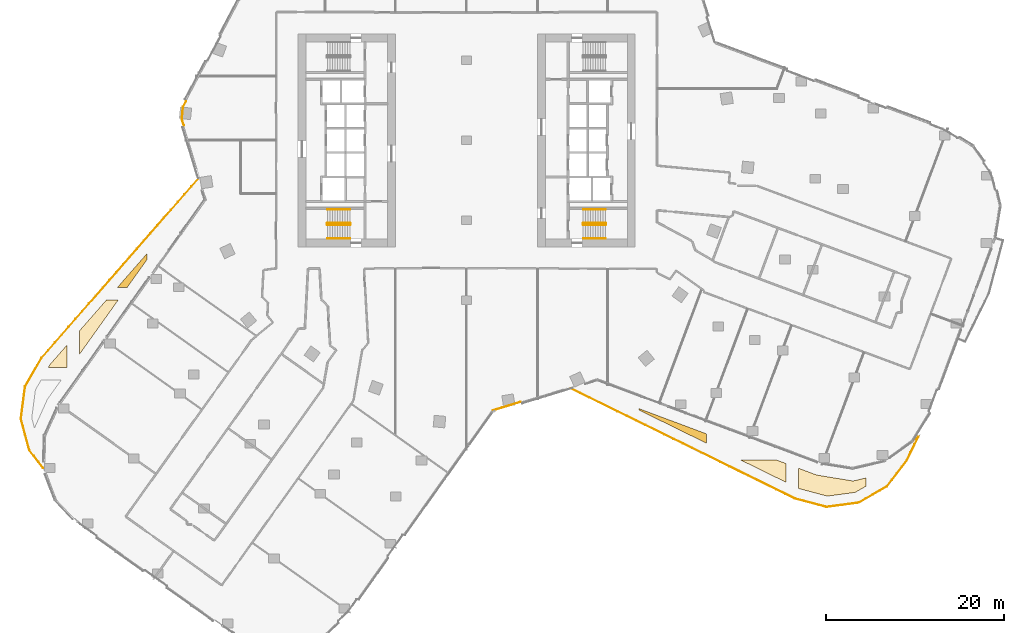
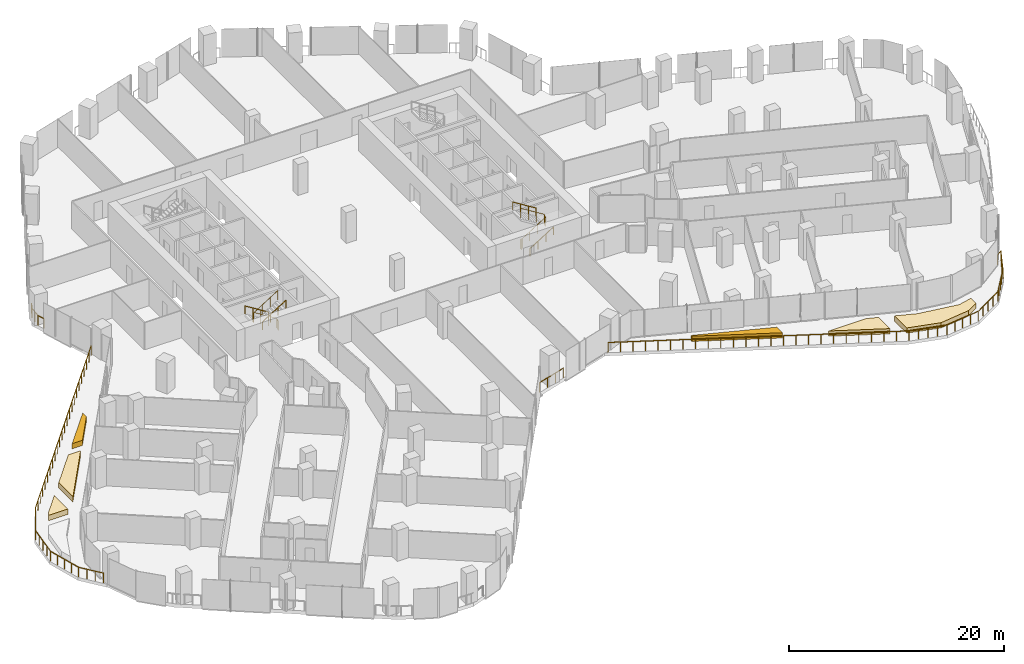
# One storey, part 28 of 30: 10 railings, 6 coverings.
"""IFC4 building model written with IfcOpenShell, lengths in metres."""

from ifc_helpers import new_model, si_unit, direction, frame, origin, origin_2d, place, context, subcontext, project, spatial, polyline, circle, outline, extrude, material, layer, layer_set, type_object, element, save


model = new_model("IFC4")

# Units and contexts
model_context = context("Model", 3, precision=1e-05, world=origin(), true_north=direction((0.0, 1.0)))
body_context = subcontext(model_context, "Body", "Model", "MODEL_VIEW")
ifc_project = project(units=[si_unit("LENGTHUNIT", "METRE"), si_unit("AREAUNIT", "SQUARE_METRE"), si_unit("VOLUMEUNIT", "CUBIC_METRE"), si_unit("PLANEANGLEUNIT", "RADIAN"), si_unit("MASSUNIT", "GRAM", prefix="KILO")], contexts=[model_context])

# Site, building, storey
site_placement = place(None, origin())
site = spatial("IfcSite", under=ifc_project, at=site_placement, CompositionType="ELEMENT")
building_placement = place(site_placement, origin())
building = spatial("IfcBuilding", under=site, at=building_placement, Name="Orlundy Tower", CompositionType="ELEMENT")
storey_placement = place(building_placement, frame((0.0, 0.0, 80.699951171875)))
storey = spatial("IfcBuildingStorey", under=building, at=storey_placement, Name="L19", CompositionType="ELEMENT", Elevation=80.699951171875)

# Coverings
ifc_material_1 = material(Name="Planted soil in precast concrete trough", Category="concrete")
ifc_layer = layer(ifc_material_1, 0.60009765625)
ifc_layer_set = layer_set([ifc_layer], Name="PLANTER box")
covering_type = type_object("IfcCoveringType", Name="PLANTER box", PredefinedType="USERDEFINED", material=ifc_layer_set)
covering_1_placement = place(storey_placement, origin())
element("IfcCovering", 1, at=covering_1_placement, inside=storey, type_object=covering_type, Name="PLANTER L19-10", ObjectType="PLANTER", PredefinedType="USERDEFINED", context=body_context, shape_type="SweptSolid", body=[
    extrude(outline(polyline([(19.39990234375, -30.367919921875), (19.39990234375, -30.20703125), (27.0, -33.049072265625), (27.0, -34.10205078125), (19.39990234375, -30.367919921875)])), origin(), (0.0, 0.0, 1.0), 0.60009765625),
])
covering_2_placement = place(storey_placement, origin())
element("IfcCovering", 2, at=covering_2_placement, inside=storey, type_object=covering_type, Name="PLANTER L19-11", ObjectType="PLANTER", PredefinedType="USERDEFINED", context=body_context, shape_type="SweptSolid", body=[
    extrude(outline(polyline([(30.864013671875, -36.0), (34.89306640625, -36.0), (36.0, -36.4140625), (36.0, -38.52294921875), (30.864013671875, -36.0)])), origin(), (0.0, 0.0, 1.0), 0.60009765625),
])
covering_3_placement = place(storey_placement, origin())
element("IfcCovering", 3, at=covering_3_placement, inside=storey, type_object=covering_type, Name="PLANTER L19-12", ObjectType="PLANTER", PredefinedType="USERDEFINED", context=body_context, shape_type="SweptSolid", body=[
    extrude(outline(polyline([(43.781982421875, -39.65087890625), (40.6201171875, -40.072021484375), (37.4130859375, -39.217041015625), (37.39990234375, -36.93701171875), (39.44189453125, -37.700927734375), (43.541015625, -38.367919921875), (45.0, -38.02490234375), (45.0, -38.945068359375), (43.781982421875, -39.65087890625)])), origin(), (0.0, 0.0, 1.0), 0.60009765625),
])
covering_4_placement = place(storey_placement, origin())
element("IfcCovering", 4, at=covering_4_placement, inside=storey, type_object=covering_type, Name="PLANTER L19-21", ObjectType="PLANTER", PredefinedType="USERDEFINED", context=body_context, shape_type="SweptSolid", body=[
    extrude(outline(polyline([(-46.906005859375, -25.23388671875), (-45.0, -23.054931640625), (-45.0, -25.60009765625), (-47.115966796875, -25.60009765625), (-46.906005859375, -25.23388671875)])), origin(), (0.0, 0.0, 1.0), 0.60009765625),
])
covering_5_placement = place(storey_placement, origin())
element("IfcCovering", 5, at=covering_5_placement, inside=storey, type_object=covering_type, Name="PLANTER L19-22", ObjectType="PLANTER", PredefinedType="USERDEFINED", context=body_context, shape_type="SweptSolid", body=[
    extrude(outline(polyline([(-40.580078125, -18.0), (-39.248046875, -18.0), (-43.60009765625, -24.10107421875), (-43.60009765625, -21.4541015625), (-40.580078125, -18.0)])), origin(), (0.0, 0.0, 1.0), 0.60009765625),
])
covering_6_placement = place(storey_placement, origin())
element("IfcCovering", 6, at=covering_6_placement, inside=storey, type_object=covering_type, Name="PLANTER L19-23", ObjectType="PLANTER", PredefinedType="USERDEFINED", context=body_context, shape_type="SweptSolid", body=[
    extrude(outline(polyline([(-36.0, -12.762939453125), (-36.0, -13.447021484375), (-38.2490234375, -16.60009765625), (-39.35498046875, -16.60009765625), (-36.0, -12.762939453125)])), origin(), (0.0, 0.0, 1.0), 0.60009765625),
])

# Railings
ifc_material_2 = material(Name="Steel balustrade", Category="steel")
railing_type_1 = type_object("IfcRailingType", Name="Stair Guard 1100", PredefinedType="GUARDRAIL", material=ifc_material_2)
railing_1_placement = place(storey_placement, frame((-13.090087890625, -9.35009765625, 0.0)))
element("IfcRailing", 7, at=railing_1_placement, inside=storey, type_object=railing_type_1, Name="L19 ST-W2 stair guard 1", PredefinedType="GUARDRAIL", context=body_context, shape_type="SweptSolid", body=[
    extrude(circle(Radius=0.02392578125, at=origin_2d()), frame((0.0, 0.0, 1.076171875), z_axis=(0.0, -1.0, 0.0), x_axis=(1.0, 0.0, 0.0)), (0.0, 0.0, 1.0), 0.14990234375),
    extrude(circle(Radius=0.02392578125, at=origin_2d()), frame((0.0, -0.14990234375, 1.076171875), z_axis=(-0.18420542264, 0.739530593833, 0.647427882513), x_axis=(-0.970351222016, -0.241699205484, 0.0)), (0.0, 0.0, 1.0), 0.270263671875),
    extrude(circle(Radius=0.02392578125, at=origin_2d()), frame((-0.0498046875, 0.050048828125, 1.2509765625), z_axis=(-0.848007534815, 0.0, 0.529984170421), x_axis=(0.0, -1.0, 0.0)), (0.0, 0.0, 1.0), 2.9716796875),
    extrude(circle(Radius=0.02392578125, at=origin_2d()), frame((-2.56982421875, 0.050048828125, 2.826171875), z_axis=(-0.707106781187, -0.707106781187, 0.0), x_axis=(0.707106781187, -0.707106781187, 0.0)), (0.0, 0.0, 1.0), 0.07080078125),
    extrude(circle(Radius=0.02392578125, at=origin_2d()), frame((-2.619873046875, 0.0, 2.826171875), z_axis=(0.0, -1.0, 0.0), x_axis=(1.0, 0.0, 0.0)), (0.0, 0.0, 1.0), 0.14990234375),
    extrude(circle(Radius=0.02392578125, at=origin_2d()), frame((-2.619873046875, -0.14990234375, 2.826171875), z_axis=(0.265065253269, -0.265065253269, 0.927081885822), x_axis=(0.707106781187, 0.707106781187, 0.0)), (0.0, 0.0, 1.0), 0.188720703125),
    extrude(circle(Radius=0.02392578125, at=origin_2d()), frame((-2.56982421875, -0.199951171875, 3.0009765625), z_axis=(0.848007534815, 0.0, 0.529984170421), x_axis=(0.0, 1.0, 0.0)), (0.0, 0.0, 1.0), 2.9716796875),
    extrude(circle(Radius=0.02099609375, at=origin_2d()), origin(), (0.0, 0.0, 1.0), 1.052001953125),
    extrude(circle(Radius=0.02099609375, at=origin_2d()), frame((0.0, -0.14990234375, 0.0)), (0.0, 0.0, 1.0), 1.052001953125),
    extrude(circle(Radius=0.02099609375, at=origin_2d()), frame((-0.0498046875, 0.050048828125, 0.175048828125)), (0.0, 0.0, 1.0), 1.052001953125),
    extrude(circle(Radius=0.02099609375, at=origin_2d()), frame((-0.889892578125, 0.050048828125, 0.699951171875)), (0.0, 0.0, 1.0), 1.052001953125),
    extrude(circle(Radius=0.02099609375, at=origin_2d()), frame((-1.729736328125, 0.050048828125, 1.22509765625)), (0.0, 0.0, 1.0), 1.052001953125),
    extrude(circle(Radius=0.02099609375, at=origin_2d()), frame((-2.56982421875, 0.050048828125, 1.75)), (0.0, 0.0, 1.0), 1.052001953125),
    extrude(circle(Radius=0.02099609375, at=origin_2d()), frame((-2.619873046875, 0.0, 1.75)), (0.0, 0.0, 1.0), 1.052001953125),
    extrude(circle(Radius=0.02099609375, at=origin_2d()), frame((-2.619873046875, -0.14990234375, 1.75)), (0.0, 0.0, 1.0), 1.052001953125),
    extrude(circle(Radius=0.02099609375, at=origin_2d()), frame((-2.56982421875, -0.199951171875, 1.925048828125)), (0.0, 0.0, 1.0), 1.052001953125),
    extrude(circle(Radius=0.02099609375, at=origin_2d()), frame((-1.729736328125, -0.199951171875, 2.449951171875)), (0.0, 0.0, 1.0), 1.052001953125),
    extrude(circle(Radius=0.02099609375, at=origin_2d()), frame((-0.889892578125, -0.199951171875, 2.97509765625)), (0.0, 0.0, 1.0), 1.052001953125),
    extrude(circle(Radius=0.02099609375, at=origin_2d()), frame((-0.0498046875, -0.199951171875, 3.5)), (0.0, 0.0, 1.0), 1.052001953125),
])
railing_2_placement = place(storey_placement, frame((13.090087890625, -9.5, 0.0)))
element("IfcRailing", 8, at=railing_2_placement, inside=storey, type_object=railing_type_1, Name="L19 ST-E1 stair guard 1", PredefinedType="GUARDRAIL", context=body_context, shape_type="SweptSolid", body=[
    extrude(circle(Radius=0.02392578125, at=origin_2d()), frame((0.0, 0.0, 1.076171875), z_axis=(0.0, 1.0, 0.0), x_axis=(-1.0, 0.0, 0.0)), (0.0, 0.0, 1.0), 0.14990234375),
    extrude(circle(Radius=0.02392578125, at=origin_2d()), frame((0.0, 0.14990234375, 1.076171875), z_axis=(0.18420542264, -0.739530593833, 0.647427882513), x_axis=(0.970351222016, 0.241699205484, 0.0)), (0.0, 0.0, 1.0), 0.270263671875),
    extrude(circle(Radius=0.02392578125, at=origin_2d()), frame((0.0498046875, -0.050048828125, 1.2509765625), z_axis=(0.848007534815, 0.0, 0.529984170421), x_axis=(0.0, 1.0, 0.0)), (0.0, 0.0, 1.0), 2.9716796875),
    extrude(circle(Radius=0.02392578125, at=origin_2d()), frame((2.56982421875, -0.050048828125, 2.826171875), z_axis=(0.707106781187, 0.707106781187, 0.0), x_axis=(-0.707106781187, 0.707106781187, 0.0)), (0.0, 0.0, 1.0), 0.07080078125),
    extrude(circle(Radius=0.02392578125, at=origin_2d()), frame((2.619873046875, 0.0, 2.826171875), z_axis=(0.0, 1.0, 0.0), x_axis=(-1.0, 0.0, 0.0)), (0.0, 0.0, 1.0), 0.14990234375),
    extrude(circle(Radius=0.02392578125, at=origin_2d()), frame((2.619873046875, 0.14990234375, 2.826171875), z_axis=(-0.265065253269, 0.265065253269, 0.927081885822), x_axis=(-0.707106781187, -0.707106781187, 0.0)), (0.0, 0.0, 1.0), 0.188720703125),
    extrude(circle(Radius=0.02392578125, at=origin_2d()), frame((2.56982421875, 0.199951171875, 3.0009765625), z_axis=(-0.848007534815, 0.0, 0.529984170421), x_axis=(0.0, -1.0, 0.0)), (0.0, 0.0, 1.0), 2.9716796875),
    extrude(circle(Radius=0.02099609375, at=origin_2d()), origin(), (0.0, 0.0, 1.0), 1.052001953125),
    extrude(circle(Radius=0.02099609375, at=origin_2d()), frame((0.0, 0.14990234375, 0.0)), (0.0, 0.0, 1.0), 1.052001953125),
    extrude(circle(Radius=0.02099609375, at=origin_2d()), frame((0.0498046875, -0.050048828125, 0.175048828125)), (0.0, 0.0, 1.0), 1.052001953125),
    extrude(circle(Radius=0.02099609375, at=origin_2d()), frame((0.889892578125, -0.050048828125, 0.699951171875)), (0.0, 0.0, 1.0), 1.052001953125),
    extrude(circle(Radius=0.02099609375, at=origin_2d()), frame((1.729736328125, -0.050048828125, 1.22509765625)), (0.0, 0.0, 1.0), 1.052001953125),
    extrude(circle(Radius=0.02099609375, at=origin_2d()), frame((2.56982421875, -0.050048828125, 1.75)), (0.0, 0.0, 1.0), 1.052001953125),
    extrude(circle(Radius=0.02099609375, at=origin_2d()), frame((2.619873046875, 0.0, 1.75)), (0.0, 0.0, 1.0), 1.052001953125),
    extrude(circle(Radius=0.02099609375, at=origin_2d()), frame((2.619873046875, 0.14990234375, 1.75)), (0.0, 0.0, 1.0), 1.052001953125),
    extrude(circle(Radius=0.02099609375, at=origin_2d()), frame((2.56982421875, 0.199951171875, 1.925048828125)), (0.0, 0.0, 1.0), 1.052001953125),
    extrude(circle(Radius=0.02099609375, at=origin_2d()), frame((1.729736328125, 0.199951171875, 2.449951171875)), (0.0, 0.0, 1.0), 1.052001953125),
    extrude(circle(Radius=0.02099609375, at=origin_2d()), frame((0.889892578125, 0.199951171875, 2.97509765625)), (0.0, 0.0, 1.0), 1.052001953125),
    extrude(circle(Radius=0.02099609375, at=origin_2d()), frame((0.0498046875, 0.199951171875, 3.5)), (0.0, 0.0, 1.0), 1.052001953125),
])
ifc_material_3 = material(Name="Steel handrail", Category="steel")
railing_type_2 = type_object("IfcRailingType", Name="Stair Handrail 900", PredefinedType="HANDRAIL", material=ifc_material_3)
railing_3_placement = place(storey_placement, frame((-13.139892578125, -7.800048828125, 0.175048828125)))
element("IfcRailing", 9, at=railing_3_placement, inside=storey, type_object=railing_type_2, Name="L19 ST-W2 stair handrail 1", PredefinedType="HANDRAIL", context=body_context, shape_type="SweptSolid", body=[
    extrude(circle(Radius=0.02392578125, at=origin_2d()), frame((0.0, 0.0, 0.8759765625), z_axis=(-0.848007534815, 0.0, 0.529984170421), x_axis=(0.0, -1.0, 0.0)), (0.0, 0.0, 1.0), 2.9716796875),
    extrude(circle(Radius=0.02099609375, at=origin_2d()), origin(), (0.0, 0.0, 1.0), 0.851806640625),
    extrude(circle(Radius=0.02099609375, at=origin_2d()), frame((-0.840087890625, 0.0, 0.52490234375)), (0.0, 0.0, 1.0), 0.851806640625),
    extrude(circle(Radius=0.02099609375, at=origin_2d()), frame((-1.679931640625, 0.0, 1.050048828125)), (0.0, 0.0, 1.0), 0.851806640625),
    extrude(circle(Radius=0.02099609375, at=origin_2d()), frame((-2.52001953125, 0.0, 1.574951171875)), (0.0, 0.0, 1.0), 0.851806640625),
])
for number, where, name in (
    (10, (-15.659912109375, -11.050048828125, 1.925048828125), "L19 ST-W2 stair handrail 2"),
    (11, (13.139892578125, -11.050048828125, 0.175048828125), "L19 ST-E1 stair handrail 1"),
):
    element("IfcRailing", number, at=place(storey_placement, frame(where)), inside=storey, type_object=railing_type_2, Name=name, PredefinedType="HANDRAIL", context=body_context, shape_type="SweptSolid", body=[
        extrude(circle(Radius=0.02392578125, at=origin_2d()), frame((0.0, 0.0, 0.8759765625), z_axis=(0.848007534815, 0.0, 0.529984170421), x_axis=(0.0, 1.0, 0.0)), (0.0, 0.0, 1.0), 2.9716796875),
        extrude(circle(Radius=0.02099609375, at=origin_2d()), origin(), (0.0, 0.0, 1.0), 0.851806640625),
        extrude(circle(Radius=0.02099609375, at=origin_2d()), frame((0.840087890625, 0.0, 0.52490234375)), (0.0, 0.0, 1.0), 0.851806640625),
        extrude(circle(Radius=0.02099609375, at=origin_2d()), frame((1.679931640625, 0.0, 1.050048828125)), (0.0, 0.0, 1.0), 0.851806640625),
        extrude(circle(Radius=0.02099609375, at=origin_2d()), frame((2.52001953125, 0.0, 1.574951171875)), (0.0, 0.0, 1.0), 0.851806640625),
    ])
railing_4_placement = place(storey_placement, frame((15.659912109375, -7.800048828125, 1.925048828125)))
element("IfcRailing", 12, at=railing_4_placement, inside=storey, type_object=railing_type_2, Name="L19 ST-E1 stair handrail 2", PredefinedType="HANDRAIL", context=body_context, shape_type="SweptSolid", body=[
    extrude(circle(Radius=0.02392578125, at=origin_2d()), frame((0.0, 0.0, 0.8759765625), z_axis=(-0.848007534815, 0.0, 0.529984170421), x_axis=(0.0, -1.0, 0.0)), (0.0, 0.0, 1.0), 2.9716796875),
    extrude(circle(Radius=0.02099609375, at=origin_2d()), origin(), (0.0, 0.0, 1.0), 0.851806640625),
    extrude(circle(Radius=0.02099609375, at=origin_2d()), frame((-0.840087890625, 0.0, 0.52490234375)), (0.0, 0.0, 1.0), 0.851806640625),
    extrude(circle(Radius=0.02099609375, at=origin_2d()), frame((-1.679931640625, 0.0, 1.050048828125)), (0.0, 0.0, 1.0), 0.851806640625),
    extrude(circle(Radius=0.02099609375, at=origin_2d()), frame((-2.52001953125, 0.0, 1.574951171875)), (0.0, 0.0, 1.0), 0.851806640625),
])
ifc_material_4 = material(Name="Stainless steel bronze finish", Category="steel")
railing_type_3 = type_object("IfcRailingType", Name="TG1 terrace guard", PredefinedType="GUARDRAIL", material=ifc_material_4)
railing_5_placement = place(storey_placement, frame((6.064208984375, -29.474853515625, 0.0)))
element("IfcRailing", 13, at=railing_5_placement, inside=storey, type_object=railing_type_3, Name="Guard TG-L19-E04", PredefinedType="GUARDRAIL", context=body_context, shape_type="SweptSolid", body=[
    extrude(circle(Radius=0.02490234375, at=origin_2d()), frame((0.0, 0.0, 1.09521484375), z_axis=(-0.956333935332, -0.292276246269, 0.0), x_axis=(0.292276246269, -0.956333935332, 0.0)), (0.0, 0.0, 1.0), 3.224365234375),
    extrude(circle(Radius=0.02001953125, at=origin_2d()), origin(), (0.0, 0.0, 1.0), 1.070068359375),
    extrude(circle(Radius=0.02001953125, at=origin_2d()), frame((-1.02783203125, -0.314208984375, 0.0)), (0.0, 0.0, 1.0), 1.070068359375),
    extrude(circle(Radius=0.02001953125, at=origin_2d()), frame((-2.0556640625, -0.628173828125, 0.0)), (0.0, 0.0, 1.0), 1.070068359375),
    extrude(circle(Radius=0.02001953125, at=origin_2d()), frame((-3.08349609375, -0.9423828125, 0.0)), (0.0, 0.0, 1.0), 1.070068359375),
])
railing_6_placement = place(storey_placement, frame((-31.84375, 1.684326171875, 0.0)))
element("IfcRailing", 14, at=railing_6_placement, inside=storey, type_object=railing_type_3, Name="Guard TG-L19-E014", PredefinedType="GUARDRAIL", context=body_context, shape_type="SweptSolid", body=[
    extrude(circle(Radius=0.02490234375, at=origin_2d()), frame((0.0, 0.0, 1.09521484375), z_axis=(-0.292193818252, 0.956359123225, 0.0), x_axis=(-0.956359123225, -0.292193818252, 0.0)), (0.0, 0.0, 1.0), 0.7529296875),
    extrude(circle(Radius=0.02490234375, at=origin_2d()), frame((-0.219970703125, 0.719970703125, 1.09521484375), z_axis=(0.095876620221, 0.995393225663, 0.0), x_axis=(-0.995393225663, 0.095876620221, 0.0)), (0.0, 0.0, 1.0), 1.35986328125),
    extrude(circle(Radius=0.02490234375, at=origin_2d()), frame((-0.089599609375, 2.073486328125, 1.09521484375), z_axis=(0.469562111263, 0.882899441424, 0.0), x_axis=(-0.882899441424, 0.469562111263, 0.0)), (0.0, 0.0, 1.0), 0.716552734375),
    extrude(circle(Radius=0.02001953125, at=origin_2d()), origin(), (0.0, 0.0, 1.0), 1.070068359375),
    extrude(circle(Radius=0.02001953125, at=origin_2d()), frame((-0.219970703125, 0.719970703125, 0.0)), (0.0, 0.0, 1.0), 1.070068359375),
    extrude(circle(Radius=0.02001953125, at=origin_2d()), frame((-0.15478515625, 1.396728515625, 0.0)), (0.0, 0.0, 1.0), 1.070068359375),
    extrude(circle(Radius=0.02001953125, at=origin_2d()), frame((-0.089599609375, 2.073486328125, 0.0)), (0.0, 0.0, 1.0), 1.070068359375),
    extrude(circle(Radius=0.02001953125, at=origin_2d()), frame((0.246826171875, 2.7060546875, 0.0)), (0.0, 0.0, 1.0), 1.070068359375),
])
railing_7_placement = place(storey_placement, frame((50.304931640625, -33.802490234375, 0.0)))
element("IfcRailing", 15, at=railing_7_placement, inside=storey, type_object=railing_type_3, Name="Guard TG-L19-10", PredefinedType="GUARDRAIL", context=body_context, shape_type="SweptSolid", body=[
    extrude(circle(Radius=0.02490234375, at=origin_2d()), frame((0.0, 0.0, 1.09521484375), z_axis=(0.811553415374, 0.584278233374, 0.0), x_axis=(-0.584278233374, 0.811553415374, 0.0)), (0.0, 0.0, 1.0), 0.728271484375),
    extrude(circle(Radius=0.02490234375, at=origin_2d()), frame((0.591064453125, 0.425537109375, 1.09521484375), z_axis=(-0.440609524565, -0.897698862015, 0.0), x_axis=(0.897698862015, -0.440609524565, 0.0)), (0.0, 0.0, 1.0), 2.977783203125),
    extrude(circle(Radius=0.02490234375, at=origin_2d()), frame((-0.720947265625, -2.24755859375, 1.09521484375), z_axis=(-0.607622635045, -0.794225870506, 0.0), x_axis=(0.794225870506, -0.607622635045, 0.0)), (0.0, 0.0, 1.0), 3.676513671875),
    extrude(circle(Radius=0.02490234375, at=origin_2d()), frame((-2.954833984375, -5.16748046875, 1.09521484375), z_axis=(-0.865183114097, -0.501456058974, 0.0), x_axis=(0.501456058974, -0.865183114097, 0.0)), (0.0, 0.0, 1.0), 3.66748046875),
    extrude(circle(Radius=0.02490234375, at=origin_2d()), frame((-6.1279296875, -7.006591796875, 1.09521484375), z_axis=(-0.991255788331, -0.131954394014, 0.0), x_axis=(0.131954394014, -0.991255788331, 0.0)), (0.0, 0.0, 1.0), 3.6669921875),
    extrude(circle(Radius=0.02490234375, at=origin_2d()), frame((-9.762939453125, -7.490478515625, 1.09521484375), z_axis=(-0.966264687497, 0.257551070075, 0.0), x_axis=(-0.257551070075, -0.966264687497, 0.0)), (0.0, 0.0, 1.0), 3.677001953125),
    extrude(circle(Radius=0.02490234375, at=origin_2d()), frame((-13.31591796875, -6.54345703125, 1.09521484375), z_axis=(-0.897532505685, 0.440948297693, 0.0), x_axis=(-0.440948297693, -0.897532505685, 0.0)), (0.0, 0.0, 1.0), 28.12109375),
    extrude(circle(Radius=0.02001953125, at=origin_2d()), origin(), (0.0, 0.0, 1.0), 1.070068359375),
    extrude(circle(Radius=0.02001953125, at=origin_2d()), frame((0.591064453125, 0.425537109375, 0.0)), (0.0, 0.0, 1.0), 1.070068359375),
    extrude(circle(Radius=0.02001953125, at=origin_2d()), frame((0.15380859375, -0.465576171875, 0.0)), (0.0, 0.0, 1.0), 1.070068359375),
    extrude(circle(Radius=0.02001953125, at=origin_2d()), frame((-0.28369140625, -1.3564453125, 0.0)), (0.0, 0.0, 1.0), 1.070068359375),
    extrude(circle(Radius=0.02001953125, at=origin_2d()), frame((-0.720947265625, -2.24755859375, 0.0)), (0.0, 0.0, 1.0), 1.070068359375),
    extrude(circle(Radius=0.02001953125, at=origin_2d()), frame((-1.279296875, -2.9775390625, 0.0)), (0.0, 0.0, 1.0), 1.070068359375),
    extrude(circle(Radius=0.02001953125, at=origin_2d()), frame((-1.837890625, -3.70751953125, 0.0)), (0.0, 0.0, 1.0), 1.070068359375),
    extrude(circle(Radius=0.02001953125, at=origin_2d()), frame((-2.396484375, -4.4375, 0.0)), (0.0, 0.0, 1.0), 1.070068359375),
    extrude(circle(Radius=0.02001953125, at=origin_2d()), frame((-2.954833984375, -5.16748046875, 0.0)), (0.0, 0.0, 1.0), 1.070068359375),
    extrude(circle(Radius=0.02001953125, at=origin_2d()), frame((-3.748046875, -5.627197265625, 0.0)), (0.0, 0.0, 1.0), 1.070068359375),
    extrude(circle(Radius=0.02001953125, at=origin_2d()), frame((-4.54150390625, -6.0869140625, 0.0)), (0.0, 0.0, 1.0), 1.070068359375),
    extrude(circle(Radius=0.02001953125, at=origin_2d()), frame((-5.334716796875, -6.546875, 0.0)), (0.0, 0.0, 1.0), 1.070068359375),
    extrude(circle(Radius=0.02001953125, at=origin_2d()), frame((-6.1279296875, -7.006591796875, 0.0)), (0.0, 0.0, 1.0), 1.070068359375),
    extrude(circle(Radius=0.02001953125, at=origin_2d()), frame((-7.03662109375, -7.12744140625, 0.0)), (0.0, 0.0, 1.0), 1.070068359375),
    extrude(circle(Radius=0.02001953125, at=origin_2d()), frame((-7.9453125, -7.24853515625, 0.0)), (0.0, 0.0, 1.0), 1.070068359375),
    extrude(circle(Radius=0.02001953125, at=origin_2d()), frame((-8.854248046875, -7.36962890625, 0.0)), (0.0, 0.0, 1.0), 1.070068359375),
    extrude(circle(Radius=0.02001953125, at=origin_2d()), frame((-9.762939453125, -7.490478515625, 0.0)), (0.0, 0.0, 1.0), 1.070068359375),
    extrude(circle(Radius=0.02001953125, at=origin_2d()), frame((-10.651123046875, -7.253662109375, 0.0)), (0.0, 0.0, 1.0), 1.070068359375),
    extrude(circle(Radius=0.02001953125, at=origin_2d()), frame((-11.53955078125, -7.01708984375, 0.0)), (0.0, 0.0, 1.0), 1.070068359375),
    extrude(circle(Radius=0.02001953125, at=origin_2d()), frame((-12.427734375, -6.7802734375, 0.0)), (0.0, 0.0, 1.0), 1.070068359375),
    extrude(circle(Radius=0.02001953125, at=origin_2d()), frame((-13.31591796875, -6.54345703125, 0.0)), (0.0, 0.0, 1.0), 1.070068359375),
    extrude(circle(Radius=0.02001953125, at=origin_2d()), frame((-14.36767578125, -6.02685546875, 0.0)), (0.0, 0.0, 1.0), 1.070068359375),
    extrude(circle(Radius=0.02001953125, at=origin_2d()), frame((-15.419189453125, -5.51025390625, 0.0)), (0.0, 0.0, 1.0), 1.070068359375),
    extrude(circle(Radius=0.02001953125, at=origin_2d()), frame((-16.470947265625, -4.993408203125, 0.0)), (0.0, 0.0, 1.0), 1.070068359375),
    extrude(circle(Radius=0.02001953125, at=origin_2d()), frame((-17.5224609375, -4.476806640625, 0.0)), (0.0, 0.0, 1.0), 1.070068359375),
    extrude(circle(Radius=0.02001953125, at=origin_2d()), frame((-18.57421875, -3.960205078125, 0.0)), (0.0, 0.0, 1.0), 1.070068359375),
    extrude(circle(Radius=0.02001953125, at=origin_2d()), frame((-19.625732421875, -3.443359375, 0.0)), (0.0, 0.0, 1.0), 1.070068359375),
    extrude(circle(Radius=0.02001953125, at=origin_2d()), frame((-20.677490234375, -2.9267578125, 0.0)), (0.0, 0.0, 1.0), 1.070068359375),
    extrude(circle(Radius=0.02001953125, at=origin_2d()), frame((-21.72900390625, -2.41015625, 0.0)), (0.0, 0.0, 1.0), 1.070068359375),
    extrude(circle(Radius=0.02001953125, at=origin_2d()), frame((-22.78076171875, -1.8935546875, 0.0)), (0.0, 0.0, 1.0), 1.070068359375),
    extrude(circle(Radius=0.02001953125, at=origin_2d()), frame((-23.832275390625, -1.376953125, 0.0)), (0.0, 0.0, 1.0), 1.070068359375),
    extrude(circle(Radius=0.02001953125, at=origin_2d()), frame((-24.884033203125, -0.860107421875, 0.0)), (0.0, 0.0, 1.0), 1.070068359375),
    extrude(circle(Radius=0.02001953125, at=origin_2d()), frame((-25.935546875, -0.343505859375, 0.0)), (0.0, 0.0, 1.0), 1.070068359375),
    extrude(circle(Radius=0.02001953125, at=origin_2d()), frame((-26.9873046875, 0.173095703125, 0.0)), (0.0, 0.0, 1.0), 1.070068359375),
    extrude(circle(Radius=0.02001953125, at=origin_2d()), frame((-28.0390625, 0.68994140625, 0.0)), (0.0, 0.0, 1.0), 1.070068359375),
    extrude(circle(Radius=0.02001953125, at=origin_2d()), frame((-29.090576171875, 1.20654296875, 0.0)), (0.0, 0.0, 1.0), 1.070068359375),
    extrude(circle(Radius=0.02001953125, at=origin_2d()), frame((-30.142333984375, 1.72314453125, 0.0)), (0.0, 0.0, 1.0), 1.070068359375),
    extrude(circle(Radius=0.02001953125, at=origin_2d()), frame((-31.19384765625, 2.23974609375, 0.0)), (0.0, 0.0, 1.0), 1.070068359375),
    extrude(circle(Radius=0.02001953125, at=origin_2d()), frame((-32.24560546875, 2.75634765625, 0.0)), (0.0, 0.0, 1.0), 1.070068359375),
    extrude(circle(Radius=0.02001953125, at=origin_2d()), frame((-33.297119140625, 3.273193359375, 0.0)), (0.0, 0.0, 1.0), 1.070068359375),
    extrude(circle(Radius=0.02001953125, at=origin_2d()), frame((-34.348876953125, 3.789794921875, 0.0)), (0.0, 0.0, 1.0), 1.070068359375),
    extrude(circle(Radius=0.02001953125, at=origin_2d()), frame((-35.400390625, 4.306396484375, 0.0)), (0.0, 0.0, 1.0), 1.070068359375),
    extrude(circle(Radius=0.02001953125, at=origin_2d()), frame((-36.4521484375, 4.8232421875, 0.0)), (0.0, 0.0, 1.0), 1.070068359375),
    extrude(circle(Radius=0.02001953125, at=origin_2d()), frame((-37.503662109375, 5.33984375, 0.0)), (0.0, 0.0, 1.0), 1.070068359375),
    extrude(circle(Radius=0.02001953125, at=origin_2d()), frame((-38.555419921875, 5.8564453125, 0.0)), (0.0, 0.0, 1.0), 1.070068359375),
])
railing_8_placement = place(storey_placement, frame((-47.691650390625, -36.906982421875, 0.0)))
element("IfcRailing", 16, at=railing_8_placement, inside=storey, type_object=railing_type_3, Name="Guard TG-L19-20", PredefinedType="GUARDRAIL", context=body_context, shape_type="SweptSolid", body=[
    extrude(circle(Radius=0.02490234375, at=origin_2d()), frame((0.0, 0.0, 1.09521484375), z_axis=(-0.610250044124, 0.792208863651, 0.0), x_axis=(-0.792208863651, -0.610250044124, 0.0)), (0.0, 0.0, 1.0), 2.537109375),
    extrude(circle(Radius=0.02490234375, at=origin_2d()), frame((-1.54833984375, 2.010009765625, 1.09521484375), z_axis=(-0.260164461932, 0.965564318286, 0.0), x_axis=(-0.965564318286, -0.260164461932, 0.0)), (0.0, 0.0, 1.0), 3.667236328125),
    extrude(circle(Radius=0.02490234375, at=origin_2d()), frame((-2.50244140625, 5.551025390625, 1.09521484375), z_axis=(0.129336336874, 0.991600782555, 0.0), x_axis=(-0.991600782555, 0.129336336874, 0.0)), (0.0, 0.0, 1.0), 3.665771484375),
    extrude(circle(Radius=0.02490234375, at=origin_2d()), frame((-2.0283203125, 9.18603515625, 1.09521484375), z_axis=(0.498453661397, 0.866916343969, 0.0), x_axis=(-0.866916343969, 0.498453661397, 0.0)), (0.0, 0.0, 1.0), 3.677490234375),
    extrude(circle(Radius=0.02490234375, at=origin_2d()), frame((-0.1953125, 12.3740234375, 1.09521484375), z_axis=(0.658290822089, 0.752763703663, 0.0), x_axis=(-0.752763703663, 0.658290822089, 0.0)), (0.0, 0.0, 1.0), 26.844970703125),
    extrude(circle(Radius=0.02001953125, at=origin_2d()), origin(), (0.0, 0.0, 1.0), 1.070068359375),
    extrude(circle(Radius=0.02001953125, at=origin_2d()), frame((-0.51611328125, 0.669921875, 0.0)), (0.0, 0.0, 1.0), 1.070068359375),
    extrude(circle(Radius=0.02001953125, at=origin_2d()), frame((-1.0322265625, 1.340087890625, 0.0)), (0.0, 0.0, 1.0), 1.070068359375),
    extrude(circle(Radius=0.02001953125, at=origin_2d()), frame((-1.54833984375, 2.010009765625, 0.0)), (0.0, 0.0, 1.0), 1.070068359375),
    extrude(circle(Radius=0.02001953125, at=origin_2d()), frame((-1.786865234375, 2.895263671875, 0.0)), (0.0, 0.0, 1.0), 1.070068359375),
    extrude(circle(Radius=0.02001953125, at=origin_2d()), frame((-2.025390625, 3.780517578125, 0.0)), (0.0, 0.0, 1.0), 1.070068359375),
    extrude(circle(Radius=0.02001953125, at=origin_2d()), frame((-2.263916015625, 4.665771484375, 0.0)), (0.0, 0.0, 1.0), 1.070068359375),
    extrude(circle(Radius=0.02001953125, at=origin_2d()), frame((-2.50244140625, 5.551025390625, 0.0)), (0.0, 0.0, 1.0), 1.070068359375),
    extrude(circle(Radius=0.02001953125, at=origin_2d()), frame((-2.3837890625, 6.459716796875, 0.0)), (0.0, 0.0, 1.0), 1.070068359375),
    extrude(circle(Radius=0.02001953125, at=origin_2d()), frame((-2.265380859375, 7.36865234375, 0.0)), (0.0, 0.0, 1.0), 1.070068359375),
    extrude(circle(Radius=0.02001953125, at=origin_2d()), frame((-2.14697265625, 8.27734375, 0.0)), (0.0, 0.0, 1.0), 1.070068359375),
    extrude(circle(Radius=0.02001953125, at=origin_2d()), frame((-2.0283203125, 9.18603515625, 0.0)), (0.0, 0.0, 1.0), 1.070068359375),
    extrude(circle(Radius=0.02001953125, at=origin_2d()), frame((-1.570068359375, 9.98291015625, 0.0)), (0.0, 0.0, 1.0), 1.070068359375),
    extrude(circle(Radius=0.02001953125, at=origin_2d()), frame((-1.11181640625, 10.780029296875, 0.0)), (0.0, 0.0, 1.0), 1.070068359375),
    extrude(circle(Radius=0.02001953125, at=origin_2d()), frame((-0.653564453125, 11.5771484375, 0.0)), (0.0, 0.0, 1.0), 1.070068359375),
    extrude(circle(Radius=0.02001953125, at=origin_2d()), frame((-0.1953125, 12.3740234375, 0.0)), (0.0, 0.0, 1.0), 1.070068359375),
    extrude(circle(Radius=0.02001953125, at=origin_2d()), frame((0.572998046875, 13.252685546875, 0.0)), (0.0, 0.0, 1.0), 1.070068359375),
    extrude(circle(Radius=0.02001953125, at=origin_2d()), frame((1.34130859375, 14.13134765625, 0.0)), (0.0, 0.0, 1.0), 1.070068359375),
    extrude(circle(Radius=0.02001953125, at=origin_2d()), frame((2.109619140625, 15.009765625, 0.0)), (0.0, 0.0, 1.0), 1.070068359375),
    extrude(circle(Radius=0.02001953125, at=origin_2d()), frame((2.878173828125, 15.888427734375, 0.0)), (0.0, 0.0, 1.0), 1.070068359375),
    extrude(circle(Radius=0.02001953125, at=origin_2d()), frame((3.646484375, 16.76708984375, 0.0)), (0.0, 0.0, 1.0), 1.070068359375),
    extrude(circle(Radius=0.02001953125, at=origin_2d()), frame((4.414794921875, 17.645751953125, 0.0)), (0.0, 0.0, 1.0), 1.070068359375),
    extrude(circle(Radius=0.02001953125, at=origin_2d()), frame((5.18310546875, 18.524169921875, 0.0)), (0.0, 0.0, 1.0), 1.070068359375),
    extrude(circle(Radius=0.02001953125, at=origin_2d()), frame((5.951416015625, 19.40283203125, 0.0)), (0.0, 0.0, 1.0), 1.070068359375),
    extrude(circle(Radius=0.02001953125, at=origin_2d()), frame((6.7197265625, 20.281494140625, 0.0)), (0.0, 0.0, 1.0), 1.070068359375),
    extrude(circle(Radius=0.02001953125, at=origin_2d()), frame((7.488037109375, 21.16015625, 0.0)), (0.0, 0.0, 1.0), 1.070068359375),
    extrude(circle(Radius=0.02001953125, at=origin_2d()), frame((8.25634765625, 22.038818359375, 0.0)), (0.0, 0.0, 1.0), 1.070068359375),
    extrude(circle(Radius=0.02001953125, at=origin_2d()), frame((9.02490234375, 22.917236328125, 0.0)), (0.0, 0.0, 1.0), 1.070068359375),
    extrude(circle(Radius=0.02001953125, at=origin_2d()), frame((9.793212890625, 23.7958984375, 0.0)), (0.0, 0.0, 1.0), 1.070068359375),
    extrude(circle(Radius=0.02001953125, at=origin_2d()), frame((10.5615234375, 24.674560546875, 0.0)), (0.0, 0.0, 1.0), 1.070068359375),
    extrude(circle(Radius=0.02001953125, at=origin_2d()), frame((11.329833984375, 25.55322265625, 0.0)), (0.0, 0.0, 1.0), 1.070068359375),
    extrude(circle(Radius=0.02001953125, at=origin_2d()), frame((12.09814453125, 26.431884765625, 0.0)), (0.0, 0.0, 1.0), 1.070068359375),
    extrude(circle(Radius=0.02001953125, at=origin_2d()), frame((12.866455078125, 27.310302734375, 0.0)), (0.0, 0.0, 1.0), 1.070068359375),
    extrude(circle(Radius=0.02001953125, at=origin_2d()), frame((13.634765625, 28.18896484375, 0.0)), (0.0, 0.0, 1.0), 1.070068359375),
    extrude(circle(Radius=0.02001953125, at=origin_2d()), frame((14.403076171875, 29.067626953125, 0.0)), (0.0, 0.0, 1.0), 1.070068359375),
    extrude(circle(Radius=0.02001953125, at=origin_2d()), frame((15.171630859375, 29.9462890625, 0.0)), (0.0, 0.0, 1.0), 1.070068359375),
    extrude(circle(Radius=0.02001953125, at=origin_2d()), frame((15.93994140625, 30.82470703125, 0.0)), (0.0, 0.0, 1.0), 1.070068359375),
    extrude(circle(Radius=0.02001953125, at=origin_2d()), frame((16.708251953125, 31.703369140625, 0.0)), (0.0, 0.0, 1.0), 1.070068359375),
    extrude(circle(Radius=0.02001953125, at=origin_2d()), frame((17.4765625, 32.58203125, 0.0)), (0.0, 0.0, 1.0), 1.070068359375),
])

save(model, "model.ifc")
